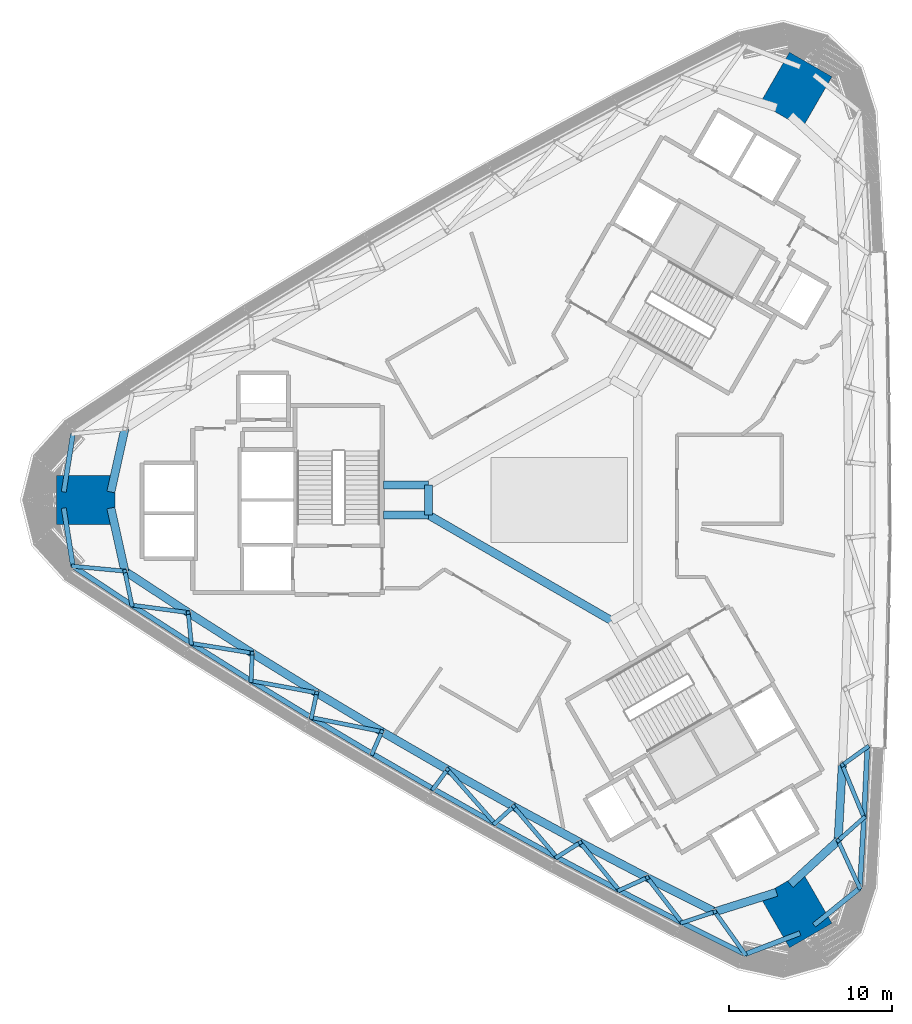
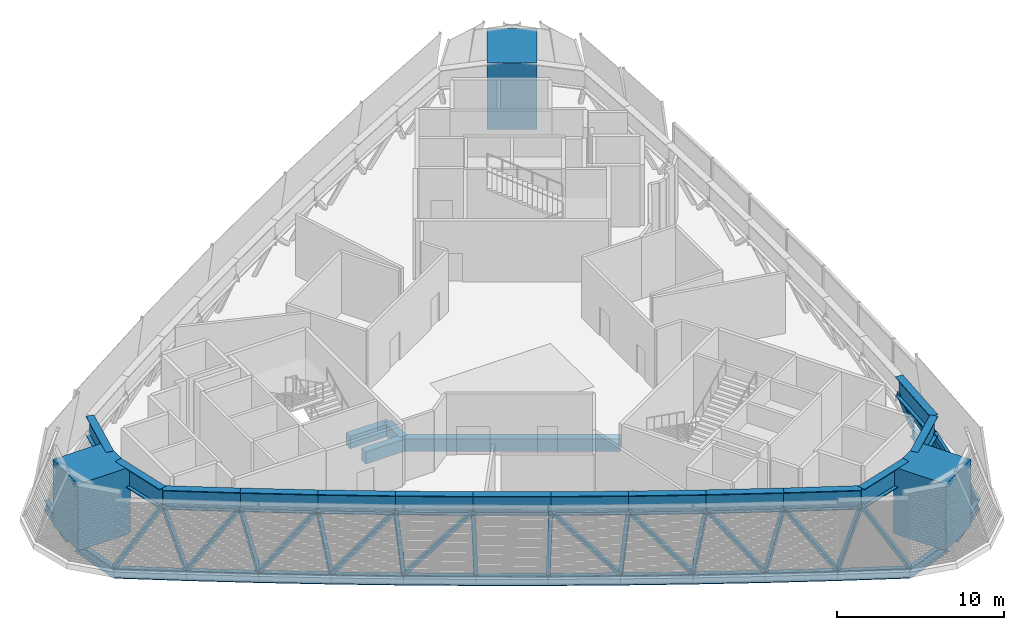
# One storey, part 1 of 18: 35 beams, 24 members, 3 columns.
"""IFC4 building model written with IfcOpenShell, lengths in metres."""

from ifc_helpers import new_model, si_unit, direction, frame, origin, origin_2d, place, context, subcontext, project, spatial, rectangle, hollow_rectangle, i_section, extrude, material, material_profile, profile_set, type_object, element, save


model = new_model("IFC4")

# Units and contexts
model_context = context("Model", 3, precision=1e-05, world=origin(), true_north=direction((0.0, 1.0)))
body_context = subcontext(model_context, "Body", "Model", "MODEL_VIEW")
ifc_project = project(units=[si_unit("LENGTHUNIT", "METRE"), si_unit("AREAUNIT", "SQUARE_METRE"), si_unit("VOLUMEUNIT", "CUBIC_METRE"), si_unit("PLANEANGLEUNIT", "RADIAN"), si_unit("MASSUNIT", "GRAM", prefix="KILO")], contexts=[model_context])

# Site, building, storey
site_placement = place(None, origin())
site = spatial("IfcSite", under=ifc_project, at=site_placement, CompositionType="ELEMENT")
building_placement = place(site_placement, origin())
building = spatial("IfcBuilding", under=site, at=building_placement, Name="Tamra Quay Hotel Tower", CompositionType="ELEMENT")
storey_placement = place(building_placement, frame((0.0, 0.0, 164.800048828125)))
storey = spatial("IfcBuildingStorey", under=building, at=storey_placement, Name="L41", CompositionType="ELEMENT", Elevation=164.800048828125)

# Columns
ifc_material_1 = material(Name="Concrete M70", Category="concrete")
ifc_material_profile_1 = material_profile(ifc_material_1, rectangle(XDim=3.60009765625, YDim=3.0, at=origin_2d()), Name="MEGA COLUMN RC 3000x3600 Z3 BELT")
ifc_profile_set_1 = profile_set([ifc_material_profile_1], Name="Concrete M70")
column_type = type_object("IfcColumnType", Name="MEGA COLUMN RC 3000x3600 Z3 BELT", PredefinedType="COLUMN", material=ifc_profile_set_1)
for number, where, z_axis, x_axis, name in (
    (1, (14.493408203125, 25.10302734375, -0.400146484375), (0.0, 0.0, 1.0), (0.5, 0.866025403784, 0.0), "COL-MR3NE-L41"),
    (2, (-28.986572265625, 0.0, -0.400146484375), (0.0, 0.0, 1.0), (1.0, 0.0, 0.0), "COL-MR3W-L41"),
    (3, (14.493408203125, -25.10302734375, -0.400146484375), (0.0, 0.0, 1.0), (-0.5, 0.866025403784, 0.0), "COL-MR3SE-L41"),
):
    element("IfcColumn", number, at=place(storey_placement, frame(where, z_axis=z_axis, x_axis=x_axis)), inside=storey, type_object=column_type, Name=name, PredefinedType="COLUMN", context=body_context, shape_type="SweptSolid", body=[
        extrude(rectangle(XDim=3.60009765625, YDim=3.0, at=origin_2d()), origin(), (0.0, 0.0, 1.0), 4.85009765625),
    ])

# Beams
ifc_material_2 = material(Name="Concrete M60", Category="concrete")
ifc_material_profile_2 = material_profile(ifc_material_2, rectangle(XDim=0.5, YDim=0.89990234375, at=origin_2d()), Name="ATRIUM EDGE BEAM RC 500x900")
ifc_profile_set_2 = profile_set([ifc_material_profile_2], Name="Concrete M60")
beam_type_1 = type_object("IfcBeamType", Name="ATRIUM EDGE BEAM RC 500x900", PredefinedType="BEAM", material=ifc_profile_set_2)
beam_1_placement = place(storey_placement, frame((3.199951171875, -7.39013671875, -0.85009765625), z_axis=(-0.866024942741, 0.500000798549, 0.0), x_axis=(-0.500000798549, -0.866024942741, 0.0)))
element("IfcBeam", 4, at=beam_1_placement, inside=storey, type_object=beam_type_1, Name="BM-AB2-L41", PredefinedType="BEAM", context=body_context, shape_type="SweptSolid", body=[
    extrude(rectangle(XDim=0.5, YDim=0.89990234375, at=origin_2d()), origin(), (0.0, 0.0, 1.0), 12.9326171875),
])
beam_2_placement = place(storey_placement, frame((-8.0, -0.923828125, -0.85009765625), z_axis=(0.0, 1.0, 0.0), x_axis=(-1.0, 0.0, 0.0)))
element("IfcBeam", 5, at=beam_2_placement, inside=storey, type_object=beam_type_1, Name="BM-AB3-L41", PredefinedType="BEAM", context=body_context, shape_type="SweptSolid", body=[
    extrude(rectangle(XDim=0.5, YDim=0.89990234375, at=origin_2d()), origin(), (0.0, 0.0, 1.0), 1.84765625),
])
ifc_material_profile_3 = material_profile(ifc_material_2, rectangle(XDim=0.5, YDim=0.89990234375, at=origin_2d()), Name="ATRIUM TIE BEAM RC 500x900")
ifc_profile_set_3 = profile_set([ifc_material_profile_3], Name="Concrete M60")
beam_type_2 = type_object("IfcBeamType", Name="ATRIUM TIE BEAM RC 500x900", PredefinedType="BEAM", material=ifc_profile_set_3)
for number, where, z_axis, x_axis, name in (
    (6, (-8.0, -0.923828125, -0.85009765625), (-1.0, 0.0, 0.0), (0.0, -1.0, 0.0), "BM-TIE-3-L41"),
    (7, (-8.0, 0.923828125, -0.85009765625), (-1.0, 0.0, 0.0), (0.0, -1.0, 0.0), "BM-TIE-4-L41"),
):
    element("IfcBeam", number, at=place(storey_placement, frame(where, z_axis=z_axis, x_axis=x_axis)), inside=storey, type_object=beam_type_2, Name=name, PredefinedType="BEAM", context=body_context, shape_type="SweptSolid", body=[
        extrude(rectangle(XDim=0.5, YDim=0.89990234375, at=origin_2d()), origin(), (0.0, 0.0, 1.0), 2.76220703125),
    ])

# Members
ifc_material_3 = material(Name="Structural steel IS 2062 E350", Category="steel")
ifc_material_profile_4 = material_profile(ifc_material_3, hollow_rectangle(XDim=0.25, YDim=0.25, WallThickness=0.010009765625, at=origin_2d()), Name="SHS 250x250x10")
ifc_profile_set_4 = profile_set([ifc_material_profile_4], Name="Structural steel IS 2062 E350")
member_type = type_object("IfcMemberType", Name="BELT BRACE SHS 250x250x10 Z3", PredefinedType="BRACE", material=ifc_profile_set_4)
member_1_placement = place(storey_placement, frame((18.396728515625, -23.757080078125, -0.400146484375), z_axis=(-0.275908327099, 0.603079974723, 0.748444479655), x_axis=(-0.90935206783, -0.416027423054, 0.0)))
element("IfcMember", 8, at=member_1_placement, inside=storey, type_object=member_type, Name="BR-L41-000", PredefinedType="BRACE", context=body_context, shape_type="SweptSolid", body=[
    extrude(hollow_rectangle(XDim=0.25, YDim=0.25, WallThickness=0.010009765625, at=origin_2d()), origin(), (0.0, 0.0, 1.0), 4.81005859375),
])
member_2_placement = place(storey_placement, frame((18.654541015625, -19.4423828125, -0.400146484375), z_axis=(-0.379184998272, -0.338240961952, 0.861284963728), x_axis=(0.665668484894, -0.746247591768, 0.0)))
element("IfcMember", 9, at=member_2_placement, inside=storey, type_object=member_type, Name="BR-L41-001", PredefinedType="BRACE", context=body_context, shape_type="SweptSolid", body=[
    extrude(hollow_rectangle(XDim=0.25, YDim=0.25, WallThickness=0.010009765625, at=origin_2d()), origin(), (0.0, 0.0, 1.0), 4.179931640625),
])
member_3_placement = place(storey_placement, frame((18.654541015625, -19.4423828125, -0.400146484375), z_axis=(-0.265241201597, 0.64242979269, 0.718979183592), x_axis=(-0.924317379234, -0.381624661736, 0.0)))
element("IfcMember", 10, at=member_3_placement, inside=storey, type_object=member_type, Name="BR-L41-002", PredefinedType="BRACE", context=body_context, shape_type="SweptSolid", body=[
    extrude(hollow_rectangle(XDim=0.25, YDim=0.25, WallThickness=0.010009765625, at=origin_2d()), origin(), (0.0, 0.0, 1.0), 5.00732421875),
])
member_4_placement = place(storey_placement, frame((18.86083984375, -15.124267578125, -0.400146484375), z_axis=(-0.377428221593, -0.27089557798, 0.885530080447), x_axis=(0.583095237624, -0.812403805912, 0.0)))
element("IfcMember", 11, at=member_4_placement, inside=storey, type_object=member_type, Name="BR-L41-003", PredefinedType="BRACE", context=body_context, shape_type="SweptSolid", body=[
    extrude(hollow_rectangle(XDim=0.25, YDim=0.25, WallThickness=0.010009765625, at=origin_2d()), origin(), (0.0, 0.0, 1.0), 4.0654296875),
])
member_5_placement = place(storey_placement, frame((-29.772705078125, -4.053466796875, -0.400146484375), z_axis=(0.660262711841, -0.062580054093, 0.74842293403), x_axis=(0.094357660191, 0.995538362879, 0.0)))
element("IfcMember", 12, at=member_5_placement, inside=storey, type_object=member_type, Name="BR-L41-040", PredefinedType="BRACE", context=body_context, shape_type="SweptSolid", body=[
    extrude(hollow_rectangle(XDim=0.25, YDim=0.25, WallThickness=0.010009765625, at=origin_2d()), origin(), (0.0, 0.0, 1.0), 4.810302734375),
])
member_6_placement = place(storey_placement, frame((-26.164794921875, -6.43408203125, -0.400146484375), z_axis=(-0.10332312907, 0.497516344497, 0.861279175388), x_axis=(-0.97910836909, -0.203339129481, 0.0)))
element("IfcMember", 13, at=member_6_placement, inside=storey, type_object=member_type, Name="BR-L41-041", PredefinedType="BRACE", context=body_context, shape_type="SweptSolid", body=[
    extrude(hollow_rectangle(XDim=0.25, YDim=0.25, WallThickness=0.010009765625, at=origin_2d()), origin(), (0.0, 0.0, 1.0), 4.179931640625),
])
member_7_placement = place(storey_placement, frame((-26.164794921875, -6.43408203125, -0.400146484375), z_axis=(0.688986958227, -0.091517126926, 0.718972591183), x_axis=(0.131672039342, 0.991293334011, 0.0)))
element("IfcMember", 14, at=member_7_placement, inside=storey, type_object=member_type, Name="BR-L41-042", PredefinedType="BRACE", context=body_context, shape_type="SweptSolid", body=[
    extrude(hollow_rectangle(XDim=0.25, YDim=0.25, WallThickness=0.010009765625, at=origin_2d()), origin(), (0.0, 0.0, 1.0), 5.00732421875),
])
member_8_placement = place(storey_placement, frame((-22.528564453125, -8.771728515625, -0.400146484375), z_axis=(-0.045820587515, 0.462289492387, 0.885544408253), x_axis=(-0.995123843142, -0.098633345326, 0.0)))
element("IfcMember", 15, at=member_8_placement, inside=storey, type_object=member_type, Name="BR-L41-043", PredefinedType="BRACE", context=body_context, shape_type="SweptSolid", body=[
    extrude(hollow_rectangle(XDim=0.25, YDim=0.25, WallThickness=0.010009765625, at=origin_2d()), origin(), (0.0, 0.0, 1.0), 4.0654296875),
])
member_9_placement = place(storey_placement, frame((-22.528564453125, -8.771728515625, -0.400146484375), z_axis=(0.714680657517, -0.115823360912, 0.689794539583), x_axis=(0.159975874401, 0.987120924512, 0.0)))
element("IfcMember", 16, at=member_9_placement, inside=storey, type_object=member_type, Name="BR-L41-044", PredefinedType="BRACE", context=body_context, shape_type="SweptSolid", body=[
    extrude(hollow_rectangle(XDim=0.25, YDim=0.25, WallThickness=0.010009765625, at=origin_2d()), origin(), (0.0, 0.0, 1.0), 5.218994140625),
])
member_10_placement = place(storey_placement, frame((-18.864990234375, -11.06591796875, -0.400146484375), z_axis=(0.016695641536, 0.42481814365, 0.905124742994), x_axis=(-0.999228621767, 0.039270363404, 0.0)))
element("IfcMember", 17, at=member_10_placement, inside=storey, type_object=member_type, Name="BR-L41-045", PredefinedType="BRACE", context=body_context, shape_type="SweptSolid", body=[
    extrude(hollow_rectangle(XDim=0.25, YDim=0.25, WallThickness=0.010009765625, at=origin_2d()), origin(), (0.0, 0.0, 1.0), 3.9775390625),
])
member_11_placement = place(storey_placement, frame((-18.864990234375, -11.06591796875, -0.400146484375), z_axis=(0.737791459962, -0.135908953151, 0.661205352413), x_axis=(0.181162429477, 0.983453188589, 0.0)))
element("IfcMember", 18, at=member_11_placement, inside=storey, type_object=member_type, Name="BR-L41-046", PredefinedType="BRACE", context=body_context, shape_type="SweptSolid", body=[
    extrude(hollow_rectangle(XDim=0.25, YDim=0.25, WallThickness=0.010009765625, at=origin_2d()), origin(), (0.0, 0.0, 1.0), 5.44482421875),
])
member_12_placement = place(storey_placement, frame((-15.174560546875, -13.31591796875, -0.400146484375), z_axis=(0.083382859732, 0.385443189419, 0.918956389843), x_axis=(-0.977391222194, 0.21143887717, 0.0)))
element("IfcMember", 19, at=member_12_placement, inside=storey, type_object=member_type, Name="BR-L41-047", PredefinedType="BRACE", context=body_context, shape_type="SweptSolid", body=[
    extrude(hollow_rectangle(XDim=0.25, YDim=0.25, WallThickness=0.010009765625, at=origin_2d()), origin(), (0.0, 0.0, 1.0), 3.91748046875),
])
member_13_placement = place(storey_placement, frame((-15.174560546875, -13.31591796875, -0.400146484375), z_axis=(0.758574552173, -0.152101609442, 0.633584839781), x_axis=(0.196596709798, 0.980484438273, 0.0)))
element("IfcMember", 20, at=member_13_placement, inside=storey, type_object=member_type, Name="BR-L41-048", PredefinedType="BRACE", context=body_context, shape_type="SweptSolid", body=[
    extrude(hollow_rectangle(XDim=0.25, YDim=0.25, WallThickness=0.010009765625, at=origin_2d()), origin(), (0.0, 0.0, 1.0), 5.68212890625),
])
for number, where, z_axis, x_axis, name in (
    (21, (-11.45703125, -15.521728515625, -0.400146484375), (0.152485994766, 0.345103188319, 0.926094925379), (-0.914688035178, 0.404160609538, 0.0), "BR-L41-049"),
    (22, (-7.7138671875, -17.68310546875, -0.400146484375), (0.222692817724, 0.304648296329, 0.92606550766), (-0.807308786503, 0.590129242824, 0.0), "BR-L41-050"),
):
    element("IfcMember", number, at=place(storey_placement, frame(where, z_axis=z_axis, x_axis=x_axis)), inside=storey, type_object=member_type, Name=name, PredefinedType="BRACE", context=body_context, shape_type="SweptSolid", body=[
        extrude(hollow_rectangle(XDim=0.25, YDim=0.25, WallThickness=0.010009765625, at=origin_2d()), origin(), (0.0, 0.0, 1.0), 3.887451171875),
    ])
member_14_placement = place(storey_placement, frame((-3.944580078125, -19.799560546875, -0.400146484375), z_axis=(-0.510999733836, 0.580906112962, 0.633582954271), x_axis=(-0.750840198212, -0.660483911045, 0.0)))
element("IfcMember", 23, at=member_14_placement, inside=storey, type_object=member_type, Name="BR-L41-051", PredefinedType="BRACE", context=body_context, shape_type="SweptSolid", body=[
    extrude(hollow_rectangle(XDim=0.25, YDim=0.25, WallThickness=0.010009765625, at=origin_2d()), origin(), (0.0, 0.0, 1.0), 5.68212890625),
])
member_15_placement = place(storey_placement, frame((-3.944580078125, -19.799560546875, -0.400146484375), z_axis=(0.292092404192, 0.264921017755, 0.918966202733), x_axis=(-0.671814938486, 0.740719034741, 0.0)))
element("IfcMember", 24, at=member_15_placement, inside=storey, type_object=member_type, Name="BR-L41-052", PredefinedType="BRACE", context=body_context, shape_type="SweptSolid", body=[
    extrude(hollow_rectangle(XDim=0.25, YDim=0.25, WallThickness=0.010009765625, at=origin_2d()), origin(), (0.0, 0.0, 1.0), 3.91748046875),
])
member_16_placement = place(storey_placement, frame((-0.150634765625, -21.87060546875, -0.400146484375), z_axis=(-0.486634214127, 0.570975774689, 0.661191202573), x_axis=(-0.761080389716, -0.648657567896, 0.0)))
element("IfcMember", 25, at=member_16_placement, inside=storey, type_object=member_type, Name="BR-L41-053", PredefinedType="BRACE", context=body_context, shape_type="SweptSolid", body=[
    extrude(hollow_rectangle(XDim=0.25, YDim=0.25, WallThickness=0.010009765625, at=origin_2d()), origin(), (0.0, 0.0, 1.0), 5.44482421875),
])
member_17_placement = place(storey_placement, frame((-0.150634765625, -21.87060546875, -0.400146484375), z_axis=(0.359515061557, 0.226868305876, 0.905140703042), x_axis=(-0.53366700105, 0.845694703774, 0.0)))
element("IfcMember", 26, at=member_17_placement, inside=storey, type_object=member_type, Name="BR-L41-054", PredefinedType="BRACE", context=body_context, shape_type="SweptSolid", body=[
    extrude(hollow_rectangle(XDim=0.25, YDim=0.25, WallThickness=0.010009765625, at=origin_2d()), origin(), (0.0, 0.0, 1.0), 3.977294921875),
])
member_18_placement = place(storey_placement, frame((3.66748046875, -23.896240234375, -0.400146484375), z_axis=(-0.457600639297, 0.561030920782, 0.68981588909), x_axis=(-0.7749208199, -0.632058322377, 0.0)))
element("IfcMember", 27, at=member_18_placement, inside=storey, type_object=member_type, Name="BR-L41-055", PredefinedType="BRACE", context=body_context, shape_type="SweptSolid", body=[
    extrude(hollow_rectangle(XDim=0.25, YDim=0.25, WallThickness=0.010009765625, at=origin_2d()), origin(), (0.0, 0.0, 1.0), 5.218994140625),
])
member_19_placement = place(storey_placement, frame((3.66748046875, -23.896240234375, -0.400146484375), z_axis=(0.423307052143, 0.191446004005, 0.88552784663), x_axis=(-0.412078450892, 0.911148368989, 0.0)))
element("IfcMember", 28, at=member_19_placement, inside=storey, type_object=member_type, Name="BR-L41-056", PredefinedType="BRACE", context=body_context, shape_type="SweptSolid", body=[
    extrude(hollow_rectangle(XDim=0.25, YDim=0.25, WallThickness=0.010009765625, at=origin_2d()), origin(), (0.0, 0.0, 1.0), 4.0654296875),
])
member_20_placement = place(storey_placement, frame((7.51025390625, -25.87646484375, -0.400146484375), z_axis=(-0.423751919965, 0.550911626243, 0.71897892208), x_axis=(-0.792642243797, -0.609687029015, 0.0)))
element("IfcMember", 29, at=member_20_placement, inside=storey, type_object=member_type, Name="BR-L41-057", PredefinedType="BRACE", context=body_context, shape_type="SweptSolid", body=[
    extrude(hollow_rectangle(XDim=0.25, YDim=0.25, WallThickness=0.010009765625, at=origin_2d()), origin(), (0.0, 0.0, 1.0), 5.00732421875),
])
member_21_placement = place(storey_placement, frame((7.51025390625, -25.87646484375, -0.400146484375), z_axis=(0.482509722969, 0.15927902367, 0.861286572436), x_axis=(-0.313467637818, 0.949598883761, 0.0)))
element("IfcMember", 30, at=member_21_placement, inside=storey, type_object=member_type, Name="BR-L41-058", PredefinedType="BRACE", context=body_context, shape_type="SweptSolid", body=[
    extrude(hollow_rectangle(XDim=0.25, YDim=0.25, WallThickness=0.010009765625, at=origin_2d()), origin(), (0.0, 0.0, 1.0), 4.179931640625),
])
member_22_placement = place(storey_placement, frame((11.3759765625, -27.810546875, -0.400146484375), z_axis=(-0.384363733345, 0.540484536695, 0.748425671716), x_axis=(-0.814941670365, -0.579542987105, 0.0)))
element("IfcMember", 31, at=member_22_placement, inside=storey, type_object=member_type, Name="BR-L41-059", PredefinedType="BRACE", context=body_context, shape_type="SweptSolid", body=[
    extrude(hollow_rectangle(XDim=0.25, YDim=0.25, WallThickness=0.010009765625, at=origin_2d()), origin(), (0.0, 0.0, 1.0), 4.810302734375),
])

# Beams
ifc_material_profile_5 = material_profile(ifc_material_3, i_section(OverallWidth=0.303955078125, OverallDepth=0.716064453125, WebThickness=0.02099609375, FlangeThickness=0.0400390625, at=origin_2d()), Name="WPB 700x300x300")
ifc_profile_set_5 = profile_set([ifc_material_profile_5], Name="Structural steel IS 2062 E350")
beam_type_3 = type_object("IfcBeamType", Name="BELT CHORD WPB 700x300x300 Z3", PredefinedType="BEAM", material=ifc_profile_set_5)
beam_3_placement = place(storey_placement, frame((18.396728515625, -23.757080078125, -0.758056640625), z_axis=(0.059645781891, 0.998219605449, 0.0), x_axis=(-0.998219605449, 0.059645781891, 0.0)))
element("IfcBeam", 32, at=beam_3_placement, inside=storey, type_object=beam_type_3, Name="BM-CHB-L41-000", PredefinedType="BEAM", context=body_context, shape_type="SweptSolid", body=[
    extrude(i_section(OverallWidth=0.303955078125, OverallDepth=0.716064453125, WebThickness=0.02099609375, FlangeThickness=0.0400390625, at=origin_2d()), origin(), (0.0, 0.0, 1.0), 4.322509765625),
])
beam_4_placement = place(storey_placement, frame((18.654541015625, -19.4423828125, -0.758056640625), z_axis=(0.047720772552, 0.998860714948, 0.0), x_axis=(-0.998860714948, 0.047720772552, 0.0)))
element("IfcBeam", 33, at=beam_4_placement, inside=storey, type_object=beam_type_3, Name="BM-CHB-L41-001", PredefinedType="BEAM", context=body_context, shape_type="SweptSolid", body=[
    extrude(i_section(OverallWidth=0.303955078125, OverallDepth=0.716064453125, WebThickness=0.02099609375, FlangeThickness=0.0400390625, at=origin_2d()), origin(), (0.0, 0.0, 1.0), 4.322998046875),
])
for number, where, z_axis, x_axis, name in (
    (34, (-29.772705078125, 4.053466796875, -0.758056640625), (-0.156331258043, -0.98770468145, 0.0), (0.98770468145, -0.156331258043, 0.0), "BM-CHB-L41-024"),
    (35, (-30.336181640625, -0.493408203125, -0.758056640625), (0.156331258043, -0.98770468145, 0.0), (0.98770468145, 0.156331258043, 0.0), "BM-CHB-L41-025"),
):
    element("IfcBeam", number, at=place(storey_placement, frame(where, z_axis=z_axis, x_axis=x_axis)), inside=storey, type_object=beam_type_3, Name=name, PredefinedType="BEAM", context=body_context, shape_type="SweptSolid", body=[
        extrude(i_section(OverallWidth=0.303955078125, OverallDepth=0.716064453125, WebThickness=0.02099609375, FlangeThickness=0.0400390625, at=origin_2d()), origin(), (0.0, 0.0, 1.0), 3.6044921875),
    ])
beam_5_placement = place(storey_placement, frame((-29.772705078125, -4.053466796875, -0.758056640625), z_axis=(0.83467379751, -0.550744633883, 0.0), x_axis=(0.550744633883, 0.83467379751, 0.0)))
element("IfcBeam", 36, at=beam_5_placement, inside=storey, type_object=beam_type_3, Name="BM-CHB-L41-026", PredefinedType="BEAM", context=body_context, shape_type="SweptSolid", body=[
    extrude(i_section(OverallWidth=0.303955078125, OverallDepth=0.716064453125, WebThickness=0.02099609375, FlangeThickness=0.0400390625, at=origin_2d()), origin(), (0.0, 0.0, 1.0), 4.322509765625),
])
beam_6_placement = place(storey_placement, frame((-26.164794921875, -6.43408203125, -0.758056640625), z_axis=(0.841171135304, -0.540769009033, 0.0), x_axis=(0.540769009033, 0.841171135304, 0.0)))
element("IfcBeam", 37, at=beam_6_placement, inside=storey, type_object=beam_type_3, Name="BM-CHB-L41-027", PredefinedType="BEAM", context=body_context, shape_type="SweptSolid", body=[
    extrude(i_section(OverallWidth=0.303955078125, OverallDepth=0.716064453125, WebThickness=0.02099609375, FlangeThickness=0.0400390625, at=origin_2d()), origin(), (0.0, 0.0, 1.0), 4.32275390625),
])
beam_7_placement = place(storey_placement, frame((-22.528564453125, -8.771728515625, -0.758056640625), z_axis=(0.847534719417, -0.530739954576, 0.0), x_axis=(0.530739954576, 0.847534719417, 0.0)))
element("IfcBeam", 38, at=beam_7_placement, inside=storey, type_object=beam_type_3, Name="BM-CHB-L41-028", PredefinedType="BEAM", context=body_context, shape_type="SweptSolid", body=[
    extrude(i_section(OverallWidth=0.303955078125, OverallDepth=0.716064453125, WebThickness=0.02099609375, FlangeThickness=0.0400390625, at=origin_2d()), origin(), (0.0, 0.0, 1.0), 4.322509765625),
])
beam_8_placement = place(storey_placement, frame((-18.864990234375, -11.06591796875, -0.758056640625), z_axis=(0.853823118796, -0.520563235169, 0.0), x_axis=(0.520563235169, 0.853823118796, 0.0)))
element("IfcBeam", 39, at=beam_8_placement, inside=storey, type_object=beam_type_3, Name="BM-CHB-L41-029", PredefinedType="BEAM", context=body_context, shape_type="SweptSolid", body=[
    extrude(i_section(OverallWidth=0.303955078125, OverallDepth=0.716064453125, WebThickness=0.02099609375, FlangeThickness=0.0400390625, at=origin_2d()), origin(), (0.0, 0.0, 1.0), 4.322265625),
])
beam_9_placement = place(storey_placement, frame((-15.174560546875, -13.31591796875, -0.758056640625), z_axis=(0.860004243516, -0.510286881209, 0.0), x_axis=(0.510286881209, 0.860004243516, 0.0)))
element("IfcBeam", 40, at=beam_9_placement, inside=storey, type_object=beam_type_3, Name="BM-CHB-L41-030", PredefinedType="BEAM", context=body_context, shape_type="SweptSolid", body=[
    extrude(i_section(OverallWidth=0.303955078125, OverallDepth=0.716064453125, WebThickness=0.02099609375, FlangeThickness=0.0400390625, at=origin_2d()), origin(), (0.0, 0.0, 1.0), 4.32275390625),
])
beam_10_placement = place(storey_placement, frame((-11.45703125, -15.521728515625, -0.758056640625), z_axis=(0.865999338476, -0.500045143721, 0.0), x_axis=(0.500045143721, 0.865999338476, 0.0)))
element("IfcBeam", 41, at=beam_10_placement, inside=storey, type_object=beam_type_3, Name="BM-CHB-L41-031", PredefinedType="BEAM", context=body_context, shape_type="SweptSolid", body=[
    extrude(i_section(OverallWidth=0.303955078125, OverallDepth=0.716064453125, WebThickness=0.02099609375, FlangeThickness=0.0400390625, at=origin_2d()), origin(), (0.0, 0.0, 1.0), 4.322265625),
])
beam_11_placement = place(storey_placement, frame((-7.7138671875, -17.68310546875, -0.758056640625), z_axis=(0.871947832334, -0.489598792571, 0.0), x_axis=(0.489598792571, 0.871947832334, 0.0)))
element("IfcBeam", 42, at=beam_11_placement, inside=storey, type_object=beam_type_3, Name="BM-CHB-L41-032", PredefinedType="BEAM", context=body_context, shape_type="SweptSolid", body=[
    extrude(i_section(OverallWidth=0.303955078125, OverallDepth=0.716064453125, WebThickness=0.02099609375, FlangeThickness=0.0400390625, at=origin_2d()), origin(), (0.0, 0.0, 1.0), 4.32275390625),
])
beam_12_placement = place(storey_placement, frame((-3.944580078125, -19.799560546875, -0.758056640625), z_axis=(0.877737950018, -0.479140992922, 0.0), x_axis=(0.479140992922, 0.877737950018, 0.0)))
element("IfcBeam", 43, at=beam_12_placement, inside=storey, type_object=beam_type_3, Name="BM-CHB-L41-033", PredefinedType="BEAM", context=body_context, shape_type="SweptSolid", body=[
    extrude(i_section(OverallWidth=0.303955078125, OverallDepth=0.716064453125, WebThickness=0.02099609375, FlangeThickness=0.0400390625, at=origin_2d()), origin(), (0.0, 0.0, 1.0), 4.322509765625),
])
beam_13_placement = place(storey_placement, frame((-0.150634765625, -21.87060546875, -0.758056640625), z_axis=(0.88337813376, -0.468660935853, 0.0), x_axis=(0.468660935853, 0.88337813376, 0.0)))
element("IfcBeam", 44, at=beam_13_placement, inside=storey, type_object=beam_type_3, Name="BM-CHB-L41-034", PredefinedType="BEAM", context=body_context, shape_type="SweptSolid", body=[
    extrude(i_section(OverallWidth=0.303955078125, OverallDepth=0.716064453125, WebThickness=0.02099609375, FlangeThickness=0.0400390625, at=origin_2d()), origin(), (0.0, 0.0, 1.0), 4.322265625),
])
beam_14_placement = place(storey_placement, frame((3.66748046875, -23.896240234375, -0.758056640625), z_axis=(0.888916721876, -0.458068839335, 0.0), x_axis=(0.458068839335, 0.888916721876, 0.0)))
element("IfcBeam", 45, at=beam_14_placement, inside=storey, type_object=beam_type_3, Name="BM-CHB-L41-035", PredefinedType="BEAM", context=body_context, shape_type="SweptSolid", body=[
    extrude(i_section(OverallWidth=0.303955078125, OverallDepth=0.716064453125, WebThickness=0.02099609375, FlangeThickness=0.0400390625, at=origin_2d()), origin(), (0.0, 0.0, 1.0), 4.322998046875),
])
beam_15_placement = place(storey_placement, frame((7.51025390625, -25.87646484375, -0.758056640625), z_axis=(0.894314201219, -0.44743950373, 0.0), x_axis=(0.44743950373, 0.894314201219, 0.0)))
element("IfcBeam", 46, at=beam_15_placement, inside=storey, type_object=beam_type_3, Name="BM-CHB-L41-036", PredefinedType="BEAM", context=body_context, shape_type="SweptSolid", body=[
    extrude(i_section(OverallWidth=0.303955078125, OverallDepth=0.716064453125, WebThickness=0.02099609375, FlangeThickness=0.0400390625, at=origin_2d()), origin(), (0.0, 0.0, 1.0), 4.322509765625),
])
beam_16_placement = place(storey_placement, frame((11.3759765625, -27.810546875, -0.758056640625), z_axis=(0.933544482386, 0.358461573123, 0.0), x_axis=(-0.358461573123, 0.933544482386, 0.0)))
element("IfcBeam", 47, at=beam_16_placement, inside=storey, type_object=beam_type_3, Name="BM-CHB-L41-037", PredefinedType="BEAM", context=body_context, shape_type="SweptSolid", body=[
    extrude(i_section(OverallWidth=0.303955078125, OverallDepth=0.716064453125, WebThickness=0.02099609375, FlangeThickness=0.0400390625, at=origin_2d()), origin(), (0.0, 0.0, 1.0), 3.604248046875),
])
beam_17_placement = place(storey_placement, frame((15.595703125, -26.02490234375, -0.758056640625), z_axis=(0.777200697482, 0.629252791677, 0.0), x_axis=(-0.629252791677, 0.777200697482, 0.0)))
element("IfcBeam", 48, at=beam_17_placement, inside=storey, type_object=beam_type_3, Name="BM-CHB-L41-038", PredefinedType="BEAM", context=body_context, shape_type="SweptSolid", body=[
    extrude(i_section(OverallWidth=0.303955078125, OverallDepth=0.716064453125, WebThickness=0.02099609375, FlangeThickness=0.0400390625, at=origin_2d()), origin(), (0.0, 0.0, 1.0), 3.60400390625),
])
ifc_material_profile_6 = material_profile(ifc_material_3, i_section(OverallWidth=0.5, OverallDepth=1.39990234375, WebThickness=0.02490234375, FlangeThickness=0.050048828125, at=origin_2d()), Name="WPG 1400x500x25x50")
ifc_profile_set_6 = profile_set([ifc_material_profile_6], Name="Structural steel IS 2062 E350")
beam_type_4 = type_object("IfcBeamType", Name="BELT TOP CHORD WPG 1400x500x25x50 Z3", PredefinedType="USERDEFINED", material=ifc_profile_set_6)
beam_18_placement = place(storey_placement, frame((17.069580078125, -20.856201171875, 3.75), z_axis=(0.055379636718, 0.998465370374, 0.0), x_axis=(-0.998465370374, 0.055379636718, 0.0)))
element("IfcBeam", 49, at=beam_18_placement, inside=storey, type_object=beam_type_4, Name="BM-CHT-L41-000", ObjectType="TRANSFER GIRDER", PredefinedType="USERDEFINED", context=body_context, shape_type="SweptSolid", body=[
    extrude(i_section(OverallWidth=0.5, OverallDepth=1.39990234375, WebThickness=0.02490234375, FlangeThickness=0.050048828125, at=origin_2d()), origin(), (0.0, 0.0, 1.0), 4.6376953125),
])
for number, where, z_axis, x_axis, name in (
    (50, (-26.5966796875, 4.3544921875, 3.75), (-0.215781407579, -0.976441695209, 0.0), (0.976441695209, -0.215781407579, 0.0), "BM-CHT-L41-020"),
    (51, (-27.451171875, -0.48779296875, 3.75), (0.215781407579, -0.976441695209, 0.0), (0.976441695209, 0.215781407579, 0.0), "BM-CHT-L41-021"),
):
    element("IfcBeam", number, at=place(storey_placement, frame(where, z_axis=z_axis, x_axis=x_axis)), inside=storey, type_object=beam_type_4, Name=name, ObjectType="TRANSFER GIRDER", PredefinedType="USERDEFINED", context=body_context, shape_type="SweptSolid", body=[
        extrude(i_section(OverallWidth=0.5, OverallDepth=1.39990234375, WebThickness=0.02490234375, FlangeThickness=0.050048828125, at=origin_2d()), origin(), (0.0, 0.0, 1.0), 3.9599609375),
    ])
beam_19_placement = place(storey_placement, frame((-26.5966796875, -4.3544921875, 3.75), z_axis=(0.836997433708, -0.547206812792, 0.0), x_axis=(0.547206812792, 0.836997433708, 0.0)))
element("IfcBeam", 52, at=beam_19_placement, inside=storey, type_object=beam_type_4, Name="BM-CHT-L41-022", ObjectType="TRANSFER GIRDER", PredefinedType="USERDEFINED", context=body_context, shape_type="SweptSolid", body=[
    extrude(i_section(OverallWidth=0.5, OverallDepth=1.39990234375, WebThickness=0.02490234375, FlangeThickness=0.050048828125, at=origin_2d()), origin(), (0.0, 0.0, 1.0), 4.6376953125),
])
beam_20_placement = place(storey_placement, frame((-22.71484375, -6.892333984375, 3.75), z_axis=(0.844469087258, -0.535604294854, 0.0), x_axis=(0.535604294854, 0.844469087258, 0.0)))
element("IfcBeam", 53, at=beam_20_placement, inside=storey, type_object=beam_type_4, Name="BM-CHT-L41-023", ObjectType="TRANSFER GIRDER", PredefinedType="USERDEFINED", context=body_context, shape_type="SweptSolid", body=[
    extrude(i_section(OverallWidth=0.5, OverallDepth=1.39990234375, WebThickness=0.02490234375, FlangeThickness=0.050048828125, at=origin_2d()), origin(), (0.0, 0.0, 1.0), 4.637451171875),
])
beam_21_placement = place(storey_placement, frame((-18.798583984375, -9.376220703125, 3.75), z_axis=(0.851802871864, -0.52386245092, 0.0), x_axis=(0.52386245092, 0.851802871864, 0.0)))
element("IfcBeam", 54, at=beam_21_placement, inside=storey, type_object=beam_type_4, Name="BM-CHT-L41-024", ObjectType="TRANSFER GIRDER", PredefinedType="USERDEFINED", context=body_context, shape_type="SweptSolid", body=[
    extrude(i_section(OverallWidth=0.5, OverallDepth=1.39990234375, WebThickness=0.02490234375, FlangeThickness=0.050048828125, at=origin_2d()), origin(), (0.0, 0.0, 1.0), 4.637939453125),
])
for number, where, z_axis, x_axis, name in (
    (55, (-14.847900390625, -11.805908203125, 3.75), (0.859003520723, -0.51196967819, 0.0), (0.51196967819, 0.859003520723, 0.0), "BM-CHT-L41-025"),
    (56, (-10.8642578125, -14.18017578125, 3.75), (0.866034794193, -0.499983734982, 0.0), (0.499983734982, 0.866034794193, 0.0), "BM-CHT-L41-026"),
    (57, (-6.84814453125, -16.498779296875, 3.75), (0.87286038903, -0.487970020864, 0.0), (0.487970020864, 0.87286038903, 0.0), "BM-CHT-L41-027"),
):
    element("IfcBeam", number, at=place(storey_placement, frame(where, z_axis=z_axis, x_axis=x_axis)), inside=storey, type_object=beam_type_4, Name=name, ObjectType="TRANSFER GIRDER", PredefinedType="USERDEFINED", context=body_context, shape_type="SweptSolid", body=[
        extrude(i_section(OverallWidth=0.5, OverallDepth=1.39990234375, WebThickness=0.02490234375, FlangeThickness=0.050048828125, at=origin_2d()), origin(), (0.0, 0.0, 1.0), 4.637451171875),
    ])
beam_22_placement = place(storey_placement, frame((-2.80029296875, -18.76171875, 3.75), z_axis=(0.879583890062, -0.475743817976, 0.0), x_axis=(0.475743817976, 0.879583890062, 0.0)))
element("IfcBeam", 58, at=beam_22_placement, inside=storey, type_object=beam_type_4, Name="BM-CHT-L41-028", ObjectType="TRANSFER GIRDER", PredefinedType="USERDEFINED", context=body_context, shape_type="SweptSolid", body=[
    extrude(i_section(OverallWidth=0.5, OverallDepth=1.39990234375, WebThickness=0.02490234375, FlangeThickness=0.050048828125, at=origin_2d()), origin(), (0.0, 0.0, 1.0), 4.63818359375),
])
beam_23_placement = place(storey_placement, frame((1.279296875, -20.96826171875, 3.75), z_axis=(0.88607459412, -0.463542677275, 0.0), x_axis=(0.463542677275, 0.88607459412, 0.0)))
element("IfcBeam", 59, at=beam_23_placement, inside=storey, type_object=beam_type_4, Name="BM-CHT-L41-029", ObjectType="TRANSFER GIRDER", PredefinedType="USERDEFINED", context=body_context, shape_type="SweptSolid", body=[
    extrude(i_section(OverallWidth=0.5, OverallDepth=1.39990234375, WebThickness=0.02490234375, FlangeThickness=0.050048828125, at=origin_2d()), origin(), (0.0, 0.0, 1.0), 4.637451171875),
])
beam_24_placement = place(storey_placement, frame((5.388427734375, -23.117919921875, 3.75), z_axis=(0.892396579497, -0.451251974956, 0.0), x_axis=(0.451251974956, 0.892396579497, 0.0)))
element("IfcBeam", 60, at=beam_24_placement, inside=storey, type_object=beam_type_4, Name="BM-CHT-L41-030", ObjectType="TRANSFER GIRDER", PredefinedType="USERDEFINED", context=body_context, shape_type="SweptSolid", body=[
    extrude(i_section(OverallWidth=0.5, OverallDepth=1.39990234375, WebThickness=0.02490234375, FlangeThickness=0.050048828125, at=origin_2d()), origin(), (0.0, 0.0, 1.0), 4.6376953125),
])
beam_25_placement = place(storey_placement, frame((9.527099609375, -25.210693359375, 3.75), z_axis=(0.953511824231, 0.301355605641, 0.0), x_axis=(-0.301355605641, 0.953511824231, 0.0)))
element("IfcBeam", 61, at=beam_25_placement, inside=storey, type_object=beam_type_4, Name="BM-CHT-L41-031", ObjectType="TRANSFER GIRDER", PredefinedType="USERDEFINED", context=body_context, shape_type="SweptSolid", body=[
    extrude(i_section(OverallWidth=0.5, OverallDepth=1.39990234375, WebThickness=0.02490234375, FlangeThickness=0.050048828125, at=origin_2d()), origin(), (0.0, 0.0, 1.0), 3.9599609375),
])
beam_26_placement = place(storey_placement, frame((14.14794921875, -23.52978515625, 3.75), z_axis=(0.737729632314, 0.67509628173, 0.0), x_axis=(-0.67509628173, 0.737729632314, 0.0)))
element("IfcBeam", 62, at=beam_26_placement, inside=storey, type_object=beam_type_4, Name="BM-CHT-L41-032", ObjectType="TRANSFER GIRDER", PredefinedType="USERDEFINED", context=body_context, shape_type="SweptSolid", body=[
    extrude(i_section(OverallWidth=0.5, OverallDepth=1.39990234375, WebThickness=0.02490234375, FlangeThickness=0.050048828125, at=origin_2d()), origin(), (0.0, 0.0, 1.0), 3.960205078125),
])

save(model, "model.ifc")
